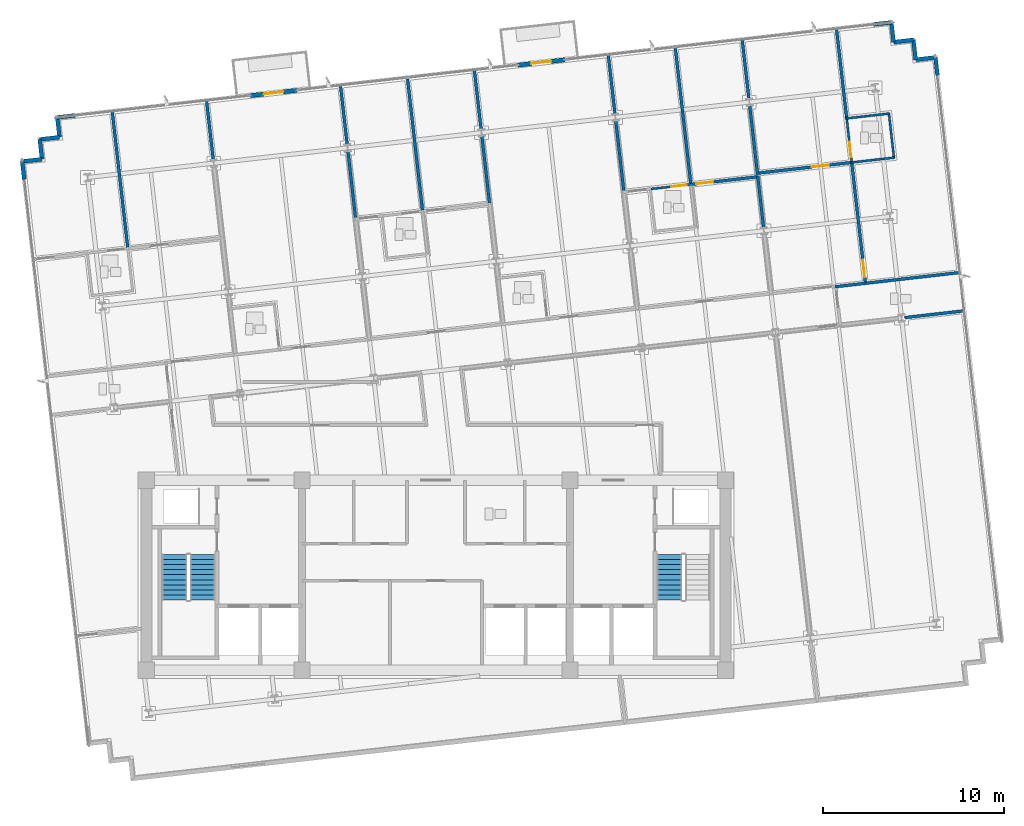
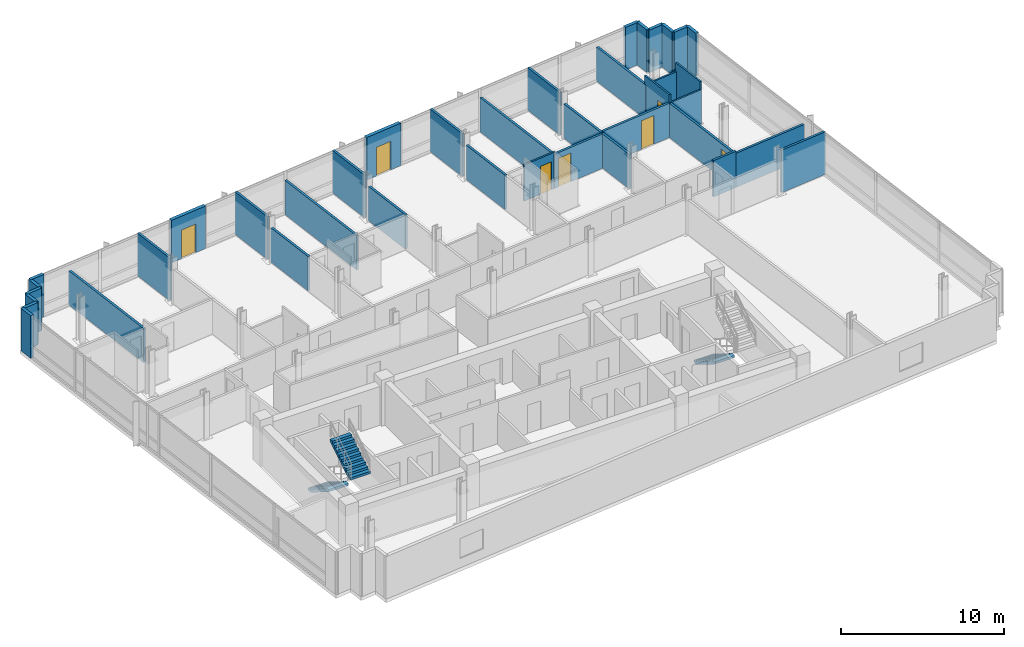
# One storey, part 11 of 17: 39 walls, 7 doors, 3 stair flights, 7 openings, 2 elements without a shape of their own.
"""IFC4 building model written with IfcOpenShell, lengths in metres."""

from ifc_helpers import new_model, si_unit, direction, frame, frame_2d, origin, place, context, subcontext, project, spatial, polyline, rectangle, outline, extrude, material, layer, layer_set, type_object, element, fill, aggregate, save


model = new_model("IFC4")

# Units and contexts
model_context = context("Model", 3, precision=1e-05, world=origin(), true_north=direction((0.0, 1.0)))
body_context = subcontext(model_context, "Body", "Model", "MODEL_VIEW")
ifc_project = project(units=[si_unit("LENGTHUNIT", "METRE"), si_unit("AREAUNIT", "SQUARE_METRE"), si_unit("VOLUMEUNIT", "CUBIC_METRE"), si_unit("PLANEANGLEUNIT", "RADIAN"), si_unit("MASSUNIT", "GRAM", prefix="KILO")], contexts=[model_context])

# Site, building, storey
site_placement = place(None, origin())
site = spatial("IfcSite", under=ifc_project, at=site_placement, CompositionType="ELEMENT")
building_placement = place(site_placement, origin())
building = spatial("IfcBuilding", under=site, at=building_placement, Name="Solmavex Isthmus Hotel", CompositionType="ELEMENT")
storey_placement = place(building_placement, frame((0.0, 0.0, 198.60009765625)))
storey = spatial("IfcBuildingStorey", under=building, at=storey_placement, Name="L53", CompositionType="ELEMENT", Elevation=198.60009765625)

# Wall, opening, door
ifc_material_1 = material(Name="Precast Concrete C40/50", Category="concrete")
ifc_layer_1 = layer(ifc_material_1, 0.25)
ifc_layer_set_1 = layer_set([ifc_layer_1], Name="Precast Concrete C40/50")
wall_type_1 = type_object("IfcWallType", Name="EW-TWR-250", PredefinedType="STANDARD", material=ifc_layer_set_1)
wall_1_placement = place(storey_placement, frame((-10.26953125, 18.750244140625, 0.0), z_axis=(0.0, 0.0, 1.0), x_axis=(0.993567130319, 0.113244680008, 0.0)))
wall_1 = element("IfcWall", 1, at=wall_1_placement, inside=storey, type_object=wall_type_1, Name="Exterior Balcony Door Wall L53-2", PredefinedType="STANDARD", context=body_context, shape_type="SweptSolid", body=[
    extrude(rectangle(XDim=2.60009765625, YDim=0.239990234375, at=frame_2d((1.300048828125, 0.0))), origin(), (0.0, 0.0, 1.0), 3.18994140625),
])
opening_1_placement = place(wall_1_placement, frame((0.75, 0.0, 0.0)))
opening_1 = element("IfcOpeningElement", 2, at=opening_1_placement, cuts=wall_1, Name="Opening ED-02", PredefinedType="OPENING", context=body_context, shape_type="SweptSolid", body=[
    extrude(rectangle(XDim=1.10009765625, YDim=2.14990234375, at=frame_2d((0.550048828125, 1.074951171875))), frame((0.0, 0.1298828125, 0.0), z_axis=(0.0, -1.0, 0.0), x_axis=(1.0, 0.0, 0.0)), (0.0, 0.0, 1.0), 0.260009765625),
])
ifc_material_2 = material(Name="Aluminium alloy 6063-T6", Category="aluminium")
door_type_1 = type_object("IfcDoorType", Name="EDR-BALC-1100", OperationType="NOTDEFINED", PredefinedType="DOOR", material=ifc_material_2)
door_1_placement = place(opening_1_placement, origin())
door_1 = element("IfcDoor", 3, at=door_1_placement, inside=storey, type_object=door_type_1, Name="Balcony & Terrace Glazed Door L53-2", OperationType="SINGLE_SWING_RIGHT", OverallHeight=2.14990234375, OverallWidth=1.10009765625, PredefinedType="DOOR", context=body_context, shape_type="SweptSolid", body=[
    extrude(rectangle(XDim=1.10009765625, YDim=2.14990234375, at=frame_2d((0.550048828125, 1.074951171875))), frame((0.0, 0.02490234375, 0.0), z_axis=(0.0, -1.0, 0.0), x_axis=(1.0, 0.0, 0.0)), (0.0, 0.0, 1.0), 0.050048828125),
])
fill(opening_1, door_1)

wall_2_placement = place(storey_placement, frame((4.52685546875, 20.43603515625, 0.0), z_axis=(0.0, 0.0, 1.0), x_axis=(0.993567130319, 0.113244680008, 0.0)))
wall_2 = element("IfcWall", 4, at=wall_2_placement, inside=storey, type_object=wall_type_1, Name="Exterior Balcony Door Wall L53-3", PredefinedType="STANDARD", context=body_context, shape_type="SweptSolid", body=[
    extrude(rectangle(XDim=2.60009765625, YDim=0.239990234375, at=frame_2d((1.300048828125, 0.0))), origin(), (0.0, 0.0, 1.0), 3.18994140625),
])
opening_2_placement = place(wall_2_placement, frame((0.75, 0.0, 0.0)))
opening_2 = element("IfcOpeningElement", 5, at=opening_2_placement, cuts=wall_2, Name="Opening ED-02", PredefinedType="OPENING", context=body_context, shape_type="SweptSolid", body=[
    extrude(rectangle(XDim=1.10009765625, YDim=2.14990234375, at=frame_2d((0.550048828125, 1.074951171875))), frame((0.0, 0.1298828125, 0.0), z_axis=(0.0, -1.0, 0.0), x_axis=(1.0, 0.0, 0.0)), (0.0, 0.0, 1.0), 0.260009765625),
])
door_2_placement = place(opening_2_placement, origin())
door_2 = element("IfcDoor", 6, at=door_2_placement, inside=storey, type_object=door_type_1, Name="Balcony & Terrace Glazed Door L53-3", OperationType="SINGLE_SWING_LEFT", OverallHeight=2.14990234375, OverallWidth=1.10009765625, PredefinedType="DOOR", context=body_context, shape_type="SweptSolid", body=[
    extrude(rectangle(XDim=1.10009765625, YDim=2.14990234375, at=frame_2d((0.550048828125, 1.074951171875))), frame((0.0, 0.02490234375, 0.0), z_axis=(0.0, -1.0, 0.0), x_axis=(1.0, 0.0, 0.0)), (0.0, 0.0, 1.0), 0.050048828125),
])
fill(opening_2, door_2)

# Walls
wall_3_placement = place(storey_placement, frame((-22.74755859375, 14.128173828125, 0.0), z_axis=(0.0, 0.0, 1.0), x_axis=(-0.113191877531, 0.993573147212, 0.0)))
element("IfcWall", 7, at=wall_3_placement, inside=storey, type_object=wall_type_1, Name="Serrated Corner Facade Panel L53-07", PredefinedType="STANDARD", context=body_context, shape_type="SweptSolid", body=[
    extrude(rectangle(XDim=0.989990234375, YDim=0.219970703125, at=frame_2d((0.4951171875, 0.0))), origin(), (0.0, 0.0, 1.0), 3.18994140625),
])
wall_4_placement = place(storey_placement, frame((-22.859619140625, 15.11181640625, 0.0), z_axis=(0.0, 0.0, 1.0), x_axis=(0.99357409499, 0.113183557839, 0.0)))
element("IfcWall", 8, at=wall_4_placement, inside=storey, type_object=wall_type_1, Name="Serrated Corner Facade Panel L53-08", PredefinedType="STANDARD", context=body_context, shape_type="SweptSolid", body=[
    extrude(rectangle(XDim=1.10009765625, YDim=0.219970703125, at=frame_2d((0.550048828125, 0.0))), origin(), (0.0, 0.0, 1.0), 3.18994140625),
])
wall_5_placement = place(storey_placement, frame((-21.7666015625, 15.236328125, 0.0), z_axis=(0.0, 0.0, 1.0), x_axis=(-0.11320852056, 0.99357125103, 0.0)))
element("IfcWall", 9, at=wall_5_placement, inside=storey, type_object=wall_type_1, Name="Serrated Corner Facade Panel L53-09", PredefinedType="STANDARD", context=body_context, shape_type="SweptSolid", body=[
    extrude(rectangle(XDim=1.099853515625, YDim=0.219970703125, at=frame_2d((0.5498046875, 0.0))), origin(), (0.0, 0.0, 1.0), 3.18994140625),
])
for number, where, z_axis, x_axis, name in (
    (10, (-21.89111328125, 16.3291015625, 0.0), (0.0, 0.0, 1.0), (0.99357409499, 0.113183557839, 0.0), "Serrated Corner Facade Panel L53-10"),
    (11, (-20.798095703125, 16.45361328125, 0.0), (0.0, 0.0, 1.0), (-0.113402635104, 0.993549114212, 0.0), "Serrated Corner Facade Panel L53-11"),
):
    element("IfcWall", number, at=place(storey_placement, frame(where, z_axis=z_axis, x_axis=x_axis)), inside=storey, type_object=wall_type_1, Name=name, PredefinedType="STANDARD", context=body_context, shape_type="SweptSolid", body=[
        extrude(rectangle(XDim=1.10009765625, YDim=0.219970703125, at=frame_2d((0.550048828125, 0.0))), origin(), (0.0, 0.0, 1.0), 3.18994140625),
    ])
for number, where, z_axis, x_axis, name in (
    (12, (-20.9228515625, 17.546630859375, 0.0), (0.0, 0.0, 1.0), (0.993573147212, 0.113191877531, 0.0), "Serrated Corner Facade Panel L53-12"),
    (13, (24.175537109375, 22.684814453125, 0.0), (0.0, 0.0, 1.0), (0.993573147212, 0.113191877531, 0.0), "Serrated Corner Facade Panel L53-14"),
):
    element("IfcWall", number, at=place(storey_placement, frame(where, z_axis=z_axis, x_axis=x_axis)), inside=storey, type_object=wall_type_1, Name=name, PredefinedType="STANDARD", context=body_context, shape_type="SweptSolid", body=[
        extrude(rectangle(XDim=0.989990234375, YDim=0.219970703125, at=frame_2d((0.4951171875, 0.0))), origin(), (0.0, 0.0, 1.0), 3.18994140625),
    ])
for number, where, z_axis, x_axis, name in (
    (14, (25.1591796875, 22.796875, 0.0), (0.0, 0.0, 1.0), (0.11320852056, -0.99357125103, 0.0), "Serrated Corner Facade Panel L53-15"),
    (15, (25.28369140625, 21.7041015625, 0.0), (0.0, 0.0, 1.0), (0.99357125103, 0.11320852056, 0.0), "Serrated Corner Facade Panel L53-16"),
):
    element("IfcWall", number, at=place(storey_placement, frame(where, z_axis=z_axis, x_axis=x_axis)), inside=storey, type_object=wall_type_1, Name=name, PredefinedType="STANDARD", context=body_context, shape_type="SweptSolid", body=[
        extrude(rectangle(XDim=1.099853515625, YDim=0.219970703125, at=frame_2d((0.5498046875, 0.0))), origin(), (0.0, 0.0, 1.0), 3.18994140625),
    ])
wall_6_placement = place(storey_placement, frame((26.37646484375, 21.82861328125, 0.0), z_axis=(0.0, 0.0, 1.0), x_axis=(0.113402635104, -0.993549114212, 0.0)))
element("IfcWall", 16, at=wall_6_placement, inside=storey, type_object=wall_type_1, Name="Serrated Corner Facade Panel L53-17", PredefinedType="STANDARD", context=body_context, shape_type="SweptSolid", body=[
    extrude(rectangle(XDim=1.10009765625, YDim=0.219970703125, at=frame_2d((0.550048828125, 0.0))), origin(), (0.0, 0.0, 1.0), 3.18994140625),
])
wall_7_placement = place(storey_placement, frame((26.501220703125, 20.735595703125, 0.0), z_axis=(0.0, 0.0, 1.0), x_axis=(0.99357125103, 0.11320852056, 0.0)))
element("IfcWall", 17, at=wall_7_placement, inside=storey, type_object=wall_type_1, Name="Serrated Corner Facade Panel L53-18", PredefinedType="STANDARD", context=body_context, shape_type="SweptSolid", body=[
    extrude(rectangle(XDim=1.099853515625, YDim=0.219970703125, at=frame_2d((0.5498046875, 0.0))), origin(), (0.0, 0.0, 1.0), 3.18994140625),
])
wall_8_placement = place(storey_placement, frame((27.593994140625, 20.860107421875, 0.0), z_axis=(0.0, 0.0, 1.0), x_axis=(0.113191877531, -0.993573147212, 0.0)))
element("IfcWall", 18, at=wall_8_placement, inside=storey, type_object=wall_type_1, Name="Serrated Corner Facade Panel L53-19", PredefinedType="STANDARD", context=body_context, shape_type="SweptSolid", body=[
    extrude(rectangle(XDim=0.989990234375, YDim=0.219970703125, at=frame_2d((0.4951171875, 0.0))), origin(), (0.0, 0.0, 1.0), 3.18994140625),
])
ifc_material_3 = material(Name="Gypsum plasterboard lining", Category="gypsum")
ifc_layer_2 = layer(ifc_material_3, 0.159912109375)
ifc_layer_set_2 = layer_set([ifc_layer_2], Name="Gypsum plasterboard lining")
wall_type_2 = type_object("IfcWallType", Name="IW-COMP-160", PredefinedType="PARTITIONING", material=ifc_layer_set_2)
wall_9_placement = place(storey_placement, frame((-17.891845703125, 17.922119140625, 0.0), z_axis=(0.0, 0.0, 1.0), x_axis=(0.113207305677, -0.993571389454, 0.0)))
element("IfcWall", 19, at=wall_9_placement, inside=storey, type_object=wall_type_2, Name="Interior Partition Wall W-L53-P033", PredefinedType="PARTITIONING", context=body_context, shape_type="SweptSolid", body=[
    extrude(rectangle(XDim=7.7119140625, YDim=0.159912109375, at=frame_2d((3.85595703125, 0.0))), origin(), (0.0, 0.0, 1.0), 2.557373046875),
])
wall_10_placement = place(storey_placement, frame((-12.681396484375, 18.515869140625, 0.0), z_axis=(0.0, 0.0, 1.0), x_axis=(0.113171804991, -0.993575433752, 0.0)))
element("IfcWall", 20, at=wall_10_placement, inside=storey, type_object=wall_type_2, Name="Interior Partition Wall W-L53-P035", PredefinedType="PARTITIONING", context=body_context, shape_type="SweptSolid", body=[
    extrude(rectangle(XDim=3.34375, YDim=0.159912109375, at=frame_2d((1.671875, 0.0))), origin(), (0.0, 0.0, 1.0), 3.18994140625),
])
wall_11_placement = place(storey_placement, frame((-5.283447265625, 19.358642578125, 0.0), z_axis=(0.0, 0.0, 1.0), x_axis=(0.113252098743, -0.993566284719, 0.0)))
element("IfcWall", 21, at=wall_11_placement, inside=storey, type_object=wall_type_2, Name="Interior Partition Wall W-L53-P041", PredefinedType="PARTITIONING", context=body_context, shape_type="SweptSolid", body=[
    extrude(rectangle(XDim=3.343505859375, YDim=0.159912109375, at=frame_2d((1.671875, 0.0))), origin(), (0.0, 0.0, 1.0), 3.18994140625),
])
wall_12_placement = place(storey_placement, frame((-4.864990234375, 15.68603515625, 0.0), z_axis=(0.0, 0.0, 1.0), x_axis=(0.11322351182, -0.993569542796, 0.0)))
element("IfcWall", 22, at=wall_12_placement, inside=storey, type_object=wall_type_2, Name="Interior Partition Wall W-L53-P042", PredefinedType="PARTITIONING", context=body_context, shape_type="SweptSolid", body=[
    extrude(rectangle(XDim=3.857666015625, YDim=0.159912109375, at=frame_2d((1.9287109375, 0.0))), origin(), (0.0, 0.0, 1.0), 2.572265625),
])
wall_13_placement = place(storey_placement, frame((-1.57080078125, 19.660888671875, 0.0), z_axis=(0.0, 0.0, 1.0), x_axis=(0.113218703946, -0.993570090671, 0.0)))
element("IfcWall", 23, at=wall_13_placement, inside=storey, type_object=wall_type_2, Name="Interior Partition Wall W-L53-P050", PredefinedType="PARTITIONING", context=body_context, shape_type="SweptSolid", body=[
    extrude(rectangle(XDim=7.39208984375, YDim=0.159912109375, at=frame_2d((3.696044921875, 0.0))), origin(), (0.0, 0.0, 1.0), 2.557373046875),
])
wall_14_placement = place(storey_placement, frame((2.11474609375, 20.20166015625, 0.0), z_axis=(0.0, 0.0, 1.0), x_axis=(0.113243883011, -0.993567221158, 0.0)))
element("IfcWall", 24, at=wall_14_placement, inside=storey, type_object=wall_type_2, Name="Interior Partition Wall W-L53-P052", PredefinedType="PARTITIONING", context=body_context, shape_type="SweptSolid", body=[
    extrude(rectangle(XDim=3.34375, YDim=0.159912109375, at=frame_2d((1.671875, 0.0))), origin(), (0.0, 0.0, 1.0), 3.18994140625),
])
wall_15_placement = place(storey_placement, frame((2.533203125, 16.529052734375, 0.0), z_axis=(0.0, 0.0, 1.0), x_axis=(0.113183882326, -0.993574058026, 0.0)))
element("IfcWall", 25, at=wall_15_placement, inside=storey, type_object=wall_type_2, Name="Interior Partition Wall W-L53-P053", PredefinedType="PARTITIONING", context=body_context, shape_type="SweptSolid", body=[
    extrude(rectangle(XDim=3.815673828125, YDim=0.159912109375, at=frame_2d((1.90771484375, 0.0))), origin(), (0.0, 0.0, 1.0), 2.572265625),
])
wall_16_placement = place(storey_placement, frame((9.512939453125, 21.04443359375, 0.0), z_axis=(0.0, 0.0, 1.0), x_axis=(0.113180015629, -0.993574498496, 0.0)))
element("IfcWall", 26, at=wall_16_placement, inside=storey, type_object=wall_type_2, Name="Interior Partition Wall W-L53-P058", PredefinedType="PARTITIONING", context=body_context, shape_type="SweptSolid", body=[
    extrude(rectangle(XDim=3.343505859375, YDim=0.159912109375, at=frame_2d((1.671875, 0.0))), origin(), (0.0, 0.0, 1.0), 3.18994140625),
])
wall_17_placement = place(storey_placement, frame((9.931396484375, 17.371826171875, 0.0), z_axis=(0.0, 0.0, 1.0), x_axis=(0.113178343723, -0.993574688945, 0.0)))
element("IfcWall", 27, at=wall_17_placement, inside=storey, type_object=wall_type_2, Name="Interior Partition Wall W-L53-P059", PredefinedType="PARTITIONING", context=body_context, shape_type="SweptSolid", body=[
    extrude(rectangle(XDim=4.0576171875, YDim=0.159912109375, at=frame_2d((2.02880859375, 0.0))), origin(), (0.0, 0.0, 1.0), 2.572265625),
])

# Wall, opening, door
wall_18_placement = place(storey_placement, frame((14.040771484375, 13.8388671875, 0.0), z_axis=(0.0, 0.0, 1.0), x_axis=(0.99357460938, 0.113179042213, 0.0)))
wall_18 = element("IfcWall", 28, at=wall_18_placement, inside=storey, type_object=wall_type_2, Name="Interior Partition Wall W-L53-P061", PredefinedType="PARTITIONING", context=body_context, shape_type="SweptSolid", body=[
    extrude(rectangle(XDim=3.802978515625, YDim=0.159912109375, at=frame_2d((1.9013671875, 0.0))), origin(), (0.0, 0.0, 1.0), 2.572265625),
])
opening_3_placement = place(wall_18_placement, frame((0.331787109375, 0.0, 0.0)))
opening_3 = element("IfcOpeningElement", 29, at=opening_3_placement, cuts=wall_18, Name="Opening ID-C095", PredefinedType="OPENING", context=body_context, shape_type="SweptSolid", body=[
    extrude(rectangle(XDim=0.949951171875, YDim=2.14990234375, at=frame_2d((0.47509765625, 1.074951171875))), frame((0.0, 0.08984375, 0.0), z_axis=(0.0, -1.0, 0.0), x_axis=(1.0, 0.0, 0.0)), (0.0, 0.0, 1.0), 0.179931640625),
])
ifc_material_4 = material(Name="Hardwood timber", Category="wood")
door_type_2 = type_object("IfcDoorType", Name="IDR-FD60-0950", OperationType="NOTDEFINED", PredefinedType="DOOR", material=ifc_material_4)
door_3_placement = place(opening_3_placement, origin())
door_3 = element("IfcDoor", 30, at=door_3_placement, inside=storey, type_object=door_type_2, Name="Premier Suite Panorama Sitting Study Door L53-15", OperationType="SINGLE_SWING_LEFT", OverallHeight=2.14990234375, OverallWidth=0.949951171875, PredefinedType="DOOR", context=body_context, shape_type="SweptSolid", body=[
    extrude(rectangle(XDim=0.949951171875, YDim=2.14990234375, at=frame_2d((0.47509765625, 1.074951171875))), frame((0.0, 0.02490234375, 0.0), z_axis=(0.0, -1.0, 0.0), x_axis=(1.0, 0.0, 0.0)), (0.0, 0.0, 1.0), 0.050048828125),
])
fill(opening_3, door_3)

# Walls
wall_19_placement = place(storey_placement, frame((17.775146484375, 14.304443359375, 0.0), z_axis=(0.0, 0.0, 1.0), x_axis=(0.113135412766, -0.993579578282, 0.0)))
element("IfcWall", 31, at=wall_19_placement, inside=storey, type_object=wall_type_2, Name="Interior Partition Wall W-L53-P065", PredefinedType="PARTITIONING", context=body_context, shape_type="SweptSolid", body=[
    extrude(rectangle(XDim=2.863525390625, YDim=0.159912109375, at=frame_2d((1.431640625, 0.0))), origin(), (0.0, 0.0, 1.0), 2.572265625),
])
wall_20_placement = place(storey_placement, frame((13.2255859375, 21.3466796875, 0.0), z_axis=(0.0, 0.0, 1.0), x_axis=(0.113194690428, -0.993572826751, 0.0)))
element("IfcWall", 32, at=wall_20_placement, inside=storey, type_object=wall_type_2, Name="Interior Partition Wall W-L53-P067", PredefinedType="PARTITIONING", context=body_context, shape_type="SweptSolid", body=[
    extrude(rectangle(XDim=7.592041015625, YDim=0.159912109375, at=frame_2d((3.7958984375, 0.0))), origin(), (0.0, 0.0, 1.0), 2.557373046875),
])
wall_21_placement = place(storey_placement, frame((16.9111328125, 21.887451171875, 0.0), z_axis=(0.0, 0.0, 1.0), x_axis=(0.113171804991, -0.993575433752, 0.0)))
element("IfcWall", 33, at=wall_21_placement, inside=storey, type_object=wall_type_2, Name="Interior Partition Wall W-L53-P069", PredefinedType="PARTITIONING", context=body_context, shape_type="SweptSolid", body=[
    extrude(rectangle(XDim=3.34375, YDim=0.159912109375, at=frame_2d((1.671875, 0.0))), origin(), (0.0, 0.0, 1.0), 3.18994140625),
])
wall_22_placement = place(storey_placement, frame((17.32958984375, 18.21484375, 0.0), z_axis=(0.0, 0.0, 1.0), x_axis=(0.113161033767, -0.993576660574, 0.0)))
element("IfcWall", 34, at=wall_22_placement, inside=storey, type_object=wall_type_2, Name="Interior Partition Wall W-L53-P070", PredefinedType="PARTITIONING", context=body_context, shape_type="SweptSolid", body=[
    extrude(rectangle(XDim=3.857421875, YDim=0.159912109375, at=frame_2d((1.9287109375, 0.0))), origin(), (0.0, 0.0, 1.0), 2.572265625),
])

# Wall, opening, door
wall_23_placement = place(storey_placement, frame((17.71728515625, 14.458984375, 0.0), z_axis=(0.0, 0.0, 1.0), x_axis=(0.99357458339, 0.113179270369, 0.0)))
wall_23 = element("IfcWall", 35, at=wall_23_placement, inside=storey, type_object=wall_type_2, Name="Interior Partition Wall W-L53-P071", PredefinedType="PARTITIONING", context=body_context, shape_type="SweptSolid", body=[
    extrude(rectangle(XDim=5.32373046875, YDim=0.159912109375, at=frame_2d((2.661865234375, 0.0))), origin(), (0.0, 0.0, 1.0), 2.572265625),
])
opening_4_placement = place(wall_23_placement, frame((3.068115234375, 0.0, 0.0)))
opening_4 = element("IfcOpeningElement", 36, at=opening_4_placement, cuts=wall_23, Name="Opening ID-C095", PredefinedType="OPENING", context=body_context, shape_type="SweptSolid", body=[
    extrude(rectangle(XDim=0.949951171875, YDim=2.14990234375, at=frame_2d((0.47509765625, 1.074951171875))), frame((0.0, 0.08984375, 0.0), z_axis=(0.0, -1.0, 0.0), x_axis=(1.0, 0.0, 0.0)), (0.0, 0.0, 1.0), 0.179931640625),
])
door_4_placement = place(opening_4_placement, origin())
door_4 = element("IfcDoor", 37, at=door_4_placement, inside=storey, type_object=door_type_2, Name="Corner Suite Master Bedroom Door L53-18", OperationType="SINGLE_SWING_RIGHT", OverallHeight=2.14990234375, OverallWidth=0.949951171875, PredefinedType="DOOR", context=body_context, shape_type="SweptSolid", body=[
    extrude(rectangle(XDim=0.949951171875, YDim=2.14990234375, at=frame_2d((0.47509765625, 1.074951171875))), frame((0.0, 0.02490234375, 0.0), z_axis=(0.0, -1.0, 0.0), x_axis=(1.0, 0.0, 0.0)), (0.0, 0.0, 1.0), 0.050048828125),
])
fill(opening_4, door_4)

wall_24_placement = place(storey_placement, frame((22.962646484375, 15.096923828125, 0.0), z_axis=(0.0, 0.0, 1.0), x_axis=(0.113198160336, -0.993572431429, 0.0)))
wall_24 = element("IfcWall", 38, at=wall_24_placement, inside=storey, type_object=wall_type_2, Name="Interior Partition Wall W-L53-P072", PredefinedType="PARTITIONING", context=body_context, shape_type="SweptSolid", body=[
    extrude(rectangle(XDim=6.798095703125, YDim=0.159912109375, at=frame_2d((3.39892578125, 0.0))), origin(), (0.0, 0.0, 1.0), 2.572265625),
])
opening_5_placement = place(wall_24_placement, frame((5.46337890625, 0.0, 0.0)))
opening_5 = element("IfcOpeningElement", 39, at=opening_5_placement, cuts=wall_24, Name="Opening ID-C095", PredefinedType="OPENING", context=body_context, shape_type="SweptSolid", body=[
    extrude(rectangle(XDim=0.949951171875, YDim=2.14990234375, at=frame_2d((0.47509765625, 1.074951171875))), frame((0.0, 0.08984375, 0.0), z_axis=(0.0, -1.0, 0.0), x_axis=(1.0, 0.0, 0.0)), (0.0, 0.0, 1.0), 0.179931640625),
])
door_5_placement = place(opening_5_placement, frame((0.949951171875, 0.0, 0.0), z_axis=(0.0, 0.0, 1.0), x_axis=(-1.0, 0.0, 0.0)))
door_5 = element("IfcDoor", 40, at=door_5_placement, inside=storey, type_object=door_type_2, Name="Corner Suite Living Lounge Door L53-19", OperationType="SINGLE_SWING_LEFT", OverallHeight=2.14990234375, OverallWidth=0.949951171875, PredefinedType="DOOR", context=body_context, shape_type="SweptSolid", body=[
    extrude(rectangle(XDim=0.949951171875, YDim=2.14990234375, at=frame_2d((0.47509765625, 1.074951171875))), frame((0.0, 0.02490234375, 0.0), z_axis=(0.0, -1.0, 0.0), x_axis=(1.0, 0.0, 0.0)), (0.0, 0.0, 1.0), 0.050048828125),
])
fill(opening_5, door_5)

# Walls
wall_25_placement = place(storey_placement, frame((23.767333984375, 8.38671875, 0.0), z_axis=(0.0, 0.0, 1.0), x_axis=(-0.993577783283, -0.113151175719, 0.0)))
element("IfcWall", 41, at=wall_25_placement, inside=storey, type_object=wall_type_2, Name="Interior Partition Wall W-L53-P073", PredefinedType="PARTITIONING", context=body_context, shape_type="SweptSolid", body=[
    extrude(rectangle(XDim=1.723876953125, YDim=0.159912109375, at=frame_2d((0.86181640625, 0.0))), origin(), (0.0, 0.0, 1.0), 2.718017578125),
])
wall_26_placement = place(storey_placement, frame((22.121337890625, 22.48095703125, 0.0), z_axis=(0.0, 0.0, 1.0), x_axis=(0.113224155513, -0.993569469443, 0.0)))
element("IfcWall", 42, at=wall_26_placement, inside=storey, type_object=wall_type_2, Name="Interior Partition Wall W-L53-P074", PredefinedType="PARTITIONING", context=body_context, shape_type="SweptSolid", body=[
    extrude(rectangle(XDim=5.103759765625, YDim=0.159912109375, at=frame_2d((2.5517578125, 0.0))), origin(), (0.0, 0.0, 1.0), 2.557373046875),
])
wall_27_placement = place(storey_placement, frame((28.977783203125, 8.98046875, 0.0), z_axis=(0.0, 0.0, 1.0), x_axis=(-0.993570013337, -0.113219382606, 0.0)))
element("IfcWall", 43, at=wall_27_placement, inside=storey, type_object=wall_type_2, Name="Interior Partition Wall W-L53-P079", PredefinedType="PARTITIONING", context=body_context, shape_type="SweptSolid", body=[
    extrude(rectangle(XDim=5.323974609375, YDim=0.159912109375, at=frame_2d((2.662109375, 0.0))), origin(), (0.0, 0.0, 1.0), 2.557373046875),
])
wall_28_placement = place(storey_placement, frame((29.21875, 6.864013671875, 0.0), z_axis=(0.0, 0.0, 1.0), x_axis=(-0.993574498496, -0.113180015629, 0.0)))
element("IfcWall", 44, at=wall_28_placement, inside=storey, type_object=wall_type_2, Name="Interior Partition Wall W-L53-P083", PredefinedType="PARTITIONING", context=body_context, shape_type="SweptSolid", body=[
    extrude(rectangle(XDim=3.343505859375, YDim=0.159912109375, at=frame_2d((1.671875, 0.0))), origin(), (0.0, 0.0, 1.0), 3.18994140625),
])

# Wall, opening, door
ifc_layer_3 = layer(ifc_material_3, 0.1201171875)
ifc_layer_set_3 = layer_set([ifc_layer_3], Name="Gypsum plasterboard lining")
wall_type_3 = type_object("IfcWallType", Name="IW-PART-120", PredefinedType="PARTITIONING", material=ifc_layer_set_3)
wall_29_placement = place(storey_placement, frame((14.120361328125, 13.847900390625, 0.0), z_axis=(0.0, 0.0, 1.0), x_axis=(-0.99357109585, -0.113209882477, 0.0)))
wall_29 = element("IfcWall", 45, at=wall_29_placement, inside=storey, type_object=wall_type_3, Name="Interior Partition Wall W-L53-P068", PredefinedType="PARTITIONING", context=body_context, shape_type="SweptSolid", body=[
    extrude(rectangle(XDim=2.3720703125, YDim=0.1201171875, at=frame_2d((1.18603515625, 0.0))), origin(), (0.0, 0.0, 1.0), 2.718017578125),
])
opening_6_placement = place(wall_29_placement, frame((0.27978515625, 0.0, 0.0)))
opening_6 = element("IfcOpeningElement", 46, at=opening_6_placement, cuts=wall_29, Name="Opening ID-U085", PredefinedType="OPENING", context=body_context, shape_type="SweptSolid", body=[
    extrude(rectangle(XDim=0.85009765625, YDim=2.10009765625, at=frame_2d((0.425048828125, 1.050048828125))), frame((0.0, 0.070068359375, 0.0), z_axis=(0.0, -1.0, 0.0), x_axis=(1.0, 0.0, 0.0)), (0.0, 0.0, 1.0), 0.14013671875),
])
door_type_3 = type_object("IfcDoorType", Name="IDR-UNR-0850", OperationType="NOTDEFINED", PredefinedType="DOOR", material=ifc_material_4)
door_6_placement = place(opening_6_placement, frame((0.85009765625, 0.0, 0.0), z_axis=(0.0, 0.0, 1.0), x_axis=(-1.0, 0.0, 0.0)))
door_6 = element("IfcDoor", 47, at=door_6_placement, inside=storey, type_object=door_type_3, Name="En-suite Bathroom Door L53-16", OperationType="SINGLE_SWING_RIGHT", OverallHeight=2.10009765625, OverallWidth=0.85009765625, PredefinedType="DOOR", context=body_context, shape_type="SweptSolid", body=[
    extrude(rectangle(XDim=0.85009765625, YDim=2.10009765625, at=frame_2d((0.425048828125, 1.050048828125))), frame((0.0, 0.02490234375, 0.0), z_axis=(0.0, -1.0, 0.0), x_axis=(1.0, 0.0, 0.0)), (0.0, 0.0, 1.0), 0.050048828125),
])
fill(opening_6, door_6)

wall_30_placement = place(storey_placement, frame((22.6806640625, 17.57275390625, 0.0), z_axis=(0.0, 0.0, 1.0), x_axis=(0.11315036097, -0.993577876068, 0.0)))
wall_30 = element("IfcWall", 48, at=wall_30_placement, inside=storey, type_object=wall_type_3, Name="Interior Partition Wall W-L53-P075", PredefinedType="PARTITIONING", context=body_context, shape_type="SweptSolid", body=[
    extrude(rectangle(XDim=2.572021484375, YDim=0.1201171875, at=frame_2d((1.2861328125, 0.0))), origin(), (0.0, 0.0, 1.0), 3.18994140625),
])
opening_7_placement = place(wall_30_placement, frame((1.38427734375, 0.0, 0.0)))
opening_7 = element("IfcOpeningElement", 49, at=opening_7_placement, cuts=wall_30, Name="Opening ID-U085", PredefinedType="OPENING", context=body_context, shape_type="SweptSolid", body=[
    extrude(rectangle(XDim=0.85009765625, YDim=2.10009765625, at=frame_2d((0.425048828125, 1.050048828125))), frame((0.0, 0.070068359375, 0.0), z_axis=(0.0, -1.0, 0.0), x_axis=(1.0, 0.0, 0.0)), (0.0, 0.0, 1.0), 0.14013671875),
])
door_7_placement = place(opening_7_placement, frame((0.85009765625, 0.0, 0.0), z_axis=(0.0, 0.0, 1.0), x_axis=(-1.0, 0.0, 0.0)))
door_7 = element("IfcDoor", 50, at=door_7_placement, inside=storey, type_object=door_type_3, Name="En-suite Bathroom Door L53-20", OperationType="SINGLE_SWING_RIGHT", OverallHeight=2.10009765625, OverallWidth=0.85009765625, PredefinedType="DOOR", context=body_context, shape_type="SweptSolid", body=[
    extrude(rectangle(XDim=0.85009765625, YDim=2.10009765625, at=frame_2d((0.425048828125, 1.050048828125))), frame((0.0, 0.02490234375, 0.0), z_axis=(0.0, -1.0, 0.0), x_axis=(1.0, 0.0, 0.0)), (0.0, 0.0, 1.0), 0.050048828125),
])
fill(opening_7, door_7)

# Walls
wall_31_placement = place(storey_placement, frame((22.927490234375, 15.052490234375, 0.0), z_axis=(0.0, 0.0, 1.0), x_axis=(0.993568569373, 0.113232053563, 0.0)))
element("IfcWall", 51, at=wall_31_placement, inside=storey, type_object=wall_type_3, Name="Interior Partition Wall W-L53-P076", PredefinedType="PARTITIONING", context=body_context, shape_type="SweptSolid", body=[
    extrude(rectangle(XDim=2.429931640625, YDim=0.1201171875, at=frame_2d((1.21484375, 0.0))), origin(), (0.0, 0.0, 1.0), 2.557373046875),
])
wall_32_placement = place(storey_placement, frame((25.306640625, 15.283447265625, 0.0), z_axis=(0.0, 0.0, 1.0), x_axis=(-0.113195495167, 0.99357273507, 0.0)))
element("IfcWall", 52, at=wall_32_placement, inside=storey, type_object=wall_type_3, Name="Interior Partition Wall W-L53-P077", PredefinedType="PARTITIONING", context=body_context, shape_type="SweptSolid", body=[
    extrude(rectangle(XDim=2.530029296875, YDim=0.1201171875, at=frame_2d((1.26513671875, 0.0))), origin(), (0.0, 0.0, 1.0), 3.18994140625),
])
wall_33_placement = place(storey_placement, frame((25.064453125, 17.761962890625, 0.0), z_axis=(0.0, 0.0, 1.0), x_axis=(-0.993568569373, -0.113232053563, 0.0)))
element("IfcWall", 53, at=wall_33_placement, inside=storey, type_object=wall_type_3, Name="Interior Partition Wall W-L53-P078", PredefinedType="PARTITIONING", context=body_context, shape_type="SweptSolid", body=[
    extrude(rectangle(XDim=2.429931640625, YDim=0.1201171875, at=frame_2d((1.21484375, 0.0))), origin(), (0.0, 0.0, 1.0), 2.557373046875),
])

# Stair, stair flights
ifc_material_5 = material(Name="Concrete C40/50", Category="concrete")
stair_type_1 = type_object("IfcStairType", Name="STR-ST-1", PredefinedType="HALF_TURN_STAIR", material=ifc_material_5)
stair_1_placement = place(storey_placement, origin())
stair_1 = element("IfcStair", 54, at=stair_1_placement, inside=storey, type_object=stair_type_1, Name="L53 Protected Exit Stair ST-1", PredefinedType="HALF_TURN_STAIR")
stair_flight_type_1 = type_object("IfcStairFlightType", Name="SFL-ST-1", PredefinedType="STRAIGHT", material=ifc_material_5)
stair_flight_1_placement = place(storey_placement, frame((-14.449951171875, -6.60009765625, 0.0), z_axis=(0.0, 0.0, 1.0), x_axis=(0.0, -1.0, 0.0)))
stair_flight_1 = element("IfcStairFlight", 55, at=stair_flight_1_placement, type_object=stair_flight_type_1, Name="ST-1 flight 1", NumberOfRisers=10, NumberOfTreads=9, PredefinedType="STRAIGHT", RiserHeight=0.1725, TreadLength=0.28, context=body_context, shape_type="SweptSolid", body=[
    extrude(outline(polyline([(0.0, 0.0), (0.0, 0.172607421875), (0.280029296875, 0.172607421875), (0.280029296875, 0.344970703125), (0.56005859375, 0.344970703125), (0.56005859375, 0.517578125), (0.840087890625, 0.517578125), (0.840087890625, 0.68994140625), (1.1201171875, 0.68994140625), (1.1201171875, 0.862548828125), (1.39990234375, 0.862548828125), (1.39990234375, 1.034912109375), (1.679931640625, 1.034912109375), (1.679931640625, 1.20751953125), (1.9599609375, 1.20751953125), (1.9599609375, 1.3798828125), (2.239990234375, 1.3798828125), (2.239990234375, 1.552490234375), (2.52001953125, 1.552490234375), (2.52001953125, 1.72509765625), (2.52001953125, 1.37646484375), (0.285888671875, 0.0), (0.0, 0.0)])), frame((0.0, 0.699951171875, 0.0), z_axis=(0.0, -1.0, 0.0), x_axis=(1.0, 0.0, 0.0)), (0.0, 0.0, 1.0), 1.39990234375),
])
stair_flight_2_placement = place(storey_placement, frame((-12.89990234375, -9.1201171875, 1.724853515625), z_axis=(0.0, 0.0, 1.0), x_axis=(0.0, 1.0, 0.0)))
stair_flight_2 = element("IfcStairFlight", 56, at=stair_flight_2_placement, type_object=stair_flight_type_1, Name="ST-1 flight 2", NumberOfRisers=10, NumberOfTreads=9, PredefinedType="STRAIGHT", RiserHeight=0.1725, TreadLength=0.28, context=body_context, shape_type="SweptSolid", body=[
    extrude(outline(polyline([(0.0, 0.0), (0.0, 0.172607421875), (0.280029296875, 0.172607421875), (0.280029296875, 0.344970703125), (0.56005859375, 0.344970703125), (0.56005859375, 0.517578125), (0.840087890625, 0.517578125), (0.840087890625, 0.68994140625), (1.1201171875, 0.68994140625), (1.1201171875, 0.862548828125), (1.39990234375, 0.862548828125), (1.39990234375, 1.034912109375), (1.679931640625, 1.034912109375), (1.679931640625, 1.20751953125), (1.9599609375, 1.20751953125), (1.9599609375, 1.3798828125), (2.239990234375, 1.3798828125), (2.239990234375, 1.552490234375), (2.52001953125, 1.552490234375), (2.52001953125, 1.72509765625), (2.52001953125, 1.37646484375), (0.285888671875, 0.0), (0.0, 0.0)])), frame((0.0, 0.699951171875, 0.0), z_axis=(0.0, -1.0, 0.0), x_axis=(1.0, 0.0, 0.0)), (0.0, 0.0, 1.0), 1.39990234375),
])
aggregate(stair_1, [stair_flight_1, stair_flight_2])

# Stair, stair flight
stair_type_2 = type_object("IfcStairType", Name="STR-ST-2", PredefinedType="HALF_TURN_STAIR", material=ifc_material_5)
stair_2_placement = place(storey_placement, origin())
stair_2 = element("IfcStair", 57, at=stair_2_placement, inside=storey, type_object=stair_type_2, Name="L53 Protected Exit Stair ST-2", PredefinedType="HALF_TURN_STAIR")
stair_flight_type_2 = type_object("IfcStairFlightType", Name="SFL-ST-2", PredefinedType="STRAIGHT", material=ifc_material_5)
stair_flight_3_placement = place(storey_placement, frame((12.89990234375, -6.60009765625, 0.0), z_axis=(0.0, 0.0, 1.0), x_axis=(0.0, -1.0, 0.0)))
stair_flight_3 = element("IfcStairFlight", 58, at=stair_flight_3_placement, type_object=stair_flight_type_2, Name="ST-2 flight 1", NumberOfRisers=10, NumberOfTreads=9, PredefinedType="STRAIGHT", RiserHeight=0.1725, TreadLength=0.28, context=body_context, shape_type="SweptSolid", body=[
    extrude(outline(polyline([(0.0, 0.0), (0.0, 0.172607421875), (0.280029296875, 0.172607421875), (0.280029296875, 0.344970703125), (0.56005859375, 0.344970703125), (0.56005859375, 0.517578125), (0.840087890625, 0.517578125), (0.840087890625, 0.68994140625), (1.1201171875, 0.68994140625), (1.1201171875, 0.862548828125), (1.39990234375, 0.862548828125), (1.39990234375, 1.034912109375), (1.679931640625, 1.034912109375), (1.679931640625, 1.20751953125), (1.9599609375, 1.20751953125), (1.9599609375, 1.3798828125), (2.239990234375, 1.3798828125), (2.239990234375, 1.552490234375), (2.52001953125, 1.552490234375), (2.52001953125, 1.72509765625), (2.52001953125, 1.37646484375), (0.285888671875, 0.0), (0.0, 0.0)])), frame((0.0, 0.699951171875, 0.0), z_axis=(0.0, -1.0, 0.0), x_axis=(1.0, 0.0, 0.0)), (0.0, 0.0, 1.0), 1.39990234375),
])
aggregate(stair_2, [stair_flight_3])

save(model, "model.ifc")
